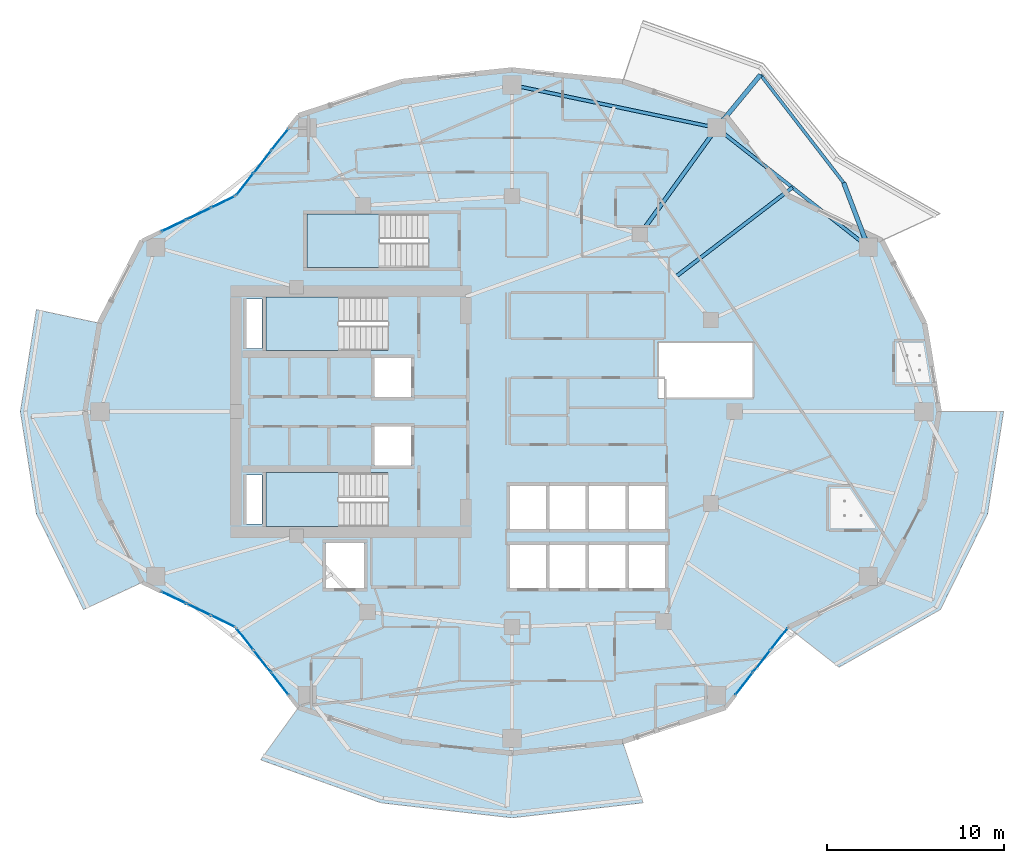
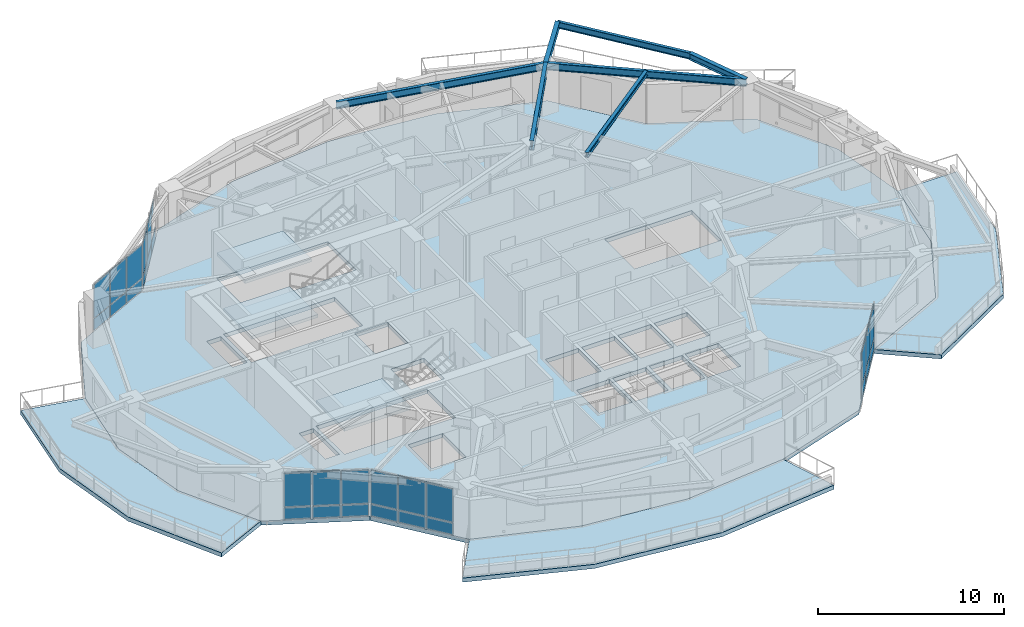
# One storey, part 6 of 18: 34 plates, 7 beams, 7 slabs, 8 elements without a shape of their own.
"""IFC4 building model written with IfcOpenShell, lengths in metres."""

from ifc_helpers import new_model, si_unit, direction, frame, origin, origin_2d, place, context, subcontext, project, spatial, polyline, rectangle, i_section, outline, extrude, material, layer, layer_set, material_profile, profile_set, type_object, element, aggregate, save


model = new_model("IFC4")

# Units and contexts
model_context = context("Model", 3, precision=1e-05, world=origin(), true_north=direction((0.0, 1.0)))
body_context = subcontext(model_context, "Body", "Model", "MODEL_VIEW")
ifc_project = project(units=[si_unit("LENGTHUNIT", "METRE"), si_unit("AREAUNIT", "SQUARE_METRE"), si_unit("VOLUMEUNIT", "CUBIC_METRE"), si_unit("PLANEANGLEUNIT", "RADIAN"), si_unit("MASSUNIT", "GRAM", prefix="KILO")], contexts=[model_context])

# Site, building, storey
site_placement = place(None, origin())
site = spatial("IfcSite", under=ifc_project, at=site_placement, CompositionType="ELEMENT")
building_placement = place(site_placement, origin())
building = spatial("IfcBuilding", under=site, at=building_placement, Name="Kolvaren Gate Tower and Convention Centre", CompositionType="ELEMENT")
storey_placement = place(building_placement, frame((0.0, 0.0, 108.699951171875)))
storey = spatial("IfcBuildingStorey", under=building, at=storey_placement, Name="L26", CompositionType="ELEMENT", Elevation=108.699951171875)

# Beams
ifc_material_1 = material(Name="Structural steel ASTM A992 Grade 345 MPa", Category="steel")
ifc_material_profile_1 = material_profile(ifc_material_1, i_section(OverallWidth=0.260009765625, OverallDepth=0.419921875, WebThickness=0.013427734375, FlangeThickness=0.0224609375, at=origin_2d()), Name="W410X132")
ifc_profile_set_1 = profile_set([ifc_material_profile_1], Name="Structural steel ASTM A992 Grade 345 MPa")
beam_type_1 = type_object("IfcBeamType", Name="STR-BM-W410X132", PredefinedType="BEAM", material=ifc_profile_set_1)
for number, where, z_axis, x_axis, name in (
    (1, (50.30029296875, 36.318603515625, 2.920654296875), (-0.356078629863, 0.934455996479, 0.0), (-0.934455996479, -0.356078629863, 0.0), "Tower L27 Planted Balcony Outrigger Cantilever BC-1A"),
    (2, (41.721435546875, 43.068359375, 2.920654296875), (0.635777466799, 0.771872407014, 0.0), (-0.771872407014, 0.635777466799, 0.0), "Tower L27 Planted Balcony Outrigger Cantilever BC-1B"),
):
    element("IfcBeam", number, at=place(storey_placement, frame(where, z_axis=z_axis, x_axis=x_axis)), inside=storey, type_object=beam_type_1, Name=name, PredefinedType="BEAM", context=body_context, shape_type="SweptSolid", body=[
        extrude(i_section(OverallWidth=0.260009765625, OverallDepth=0.419921875, WebThickness=0.013427734375, FlangeThickness=0.0224609375, at=origin_2d()), origin(), (0.0, 0.0, 1.0), 3.89990234375),
    ])
ifc_material_profile_2 = material_profile(ifc_material_1, i_section(OverallWidth=0.22998046875, OverallDepth=0.616943359375, WebThickness=0.01318359375, FlangeThickness=0.022216796875, at=origin_2d()), Name="W610X140")
ifc_profile_set_2 = profile_set([ifc_material_profile_2], Name="Structural steel ASTM A992 Grade 345 MPa")
beam_type_2 = type_object("IfcBeamType", Name="STR-BM-W610X140", PredefinedType="BEAM", material=ifc_profile_set_2)
beam_1_placement = place(storey_placement, frame((37.381591796875, 37.054931640625, 2.821533203125), z_axis=(0.585208050015, 0.810883184064, 0.0), x_axis=(-0.810883184064, 0.585208050015, 0.0)))
element("IfcBeam", 3, at=beam_1_placement, inside=storey, type_object=beam_type_2, Name="Tower L26 Radial Floor Girder RB-03", PredefinedType="BEAM", context=body_context, shape_type="SweptSolid", body=[
    extrude(i_section(OverallWidth=0.22998046875, OverallDepth=0.616943359375, WebThickness=0.01318359375, FlangeThickness=0.022216796875, at=origin_2d()), origin(), (0.0, 0.0, 1.0), 7.416015625),
])
ifc_material_profile_3 = material_profile(ifc_material_1, i_section(OverallWidth=0.205078125, OverallDepth=0.31005859375, WebThickness=0.009521484375, FlangeThickness=0.016357421875, at=origin_2d()), Name="W310X74")
ifc_profile_set_3 = profile_set([ifc_material_profile_3], Name="Structural steel ASTM A992 Grade 345 MPa")
beam_type_3 = type_object("IfcBeamType", Name="STR-JS-W310X74", PredefinedType="JOIST", material=ifc_profile_set_3)
beam_2_placement = place(storey_placement, frame((39.3818359375, 34.627197265625, 2.97509765625), z_axis=(0.79454218325, 0.607208958297, 0.0), x_axis=(-0.607208958297, 0.79454218325, 0.0)))
element("IfcBeam", 4, at=beam_2_placement, inside=storey, type_object=beam_type_3, Name="Tower L26 Secondary Composite Floor Joist J-02.1", PredefinedType="JOIST", context=body_context, shape_type="SweptSolid", body=[
    extrude(i_section(OverallWidth=0.205078125, OverallDepth=0.31005859375, WebThickness=0.009521484375, FlangeThickness=0.016357421875, at=origin_2d()), origin(), (0.0, 0.0, 1.0), 8.34326171875),
])
ifc_material_profile_4 = material_profile(ifc_material_1, i_section(OverallWidth=0.180908203125, OverallDepth=0.4169921875, WebThickness=0.010986328125, FlangeThickness=0.018310546875, at=origin_2d()), Name="W410X85")
ifc_profile_set_4 = profile_set([ifc_material_profile_4], Name="Structural steel ASTM A992 Grade 345 MPa")
beam_type_4 = type_object("IfcBeamType", Name="STR-SP-W410X85", PredefinedType="SPANDREL", material=ifc_profile_set_4)
beam_3_placement = place(storey_placement, frame((48.91162109375, 39.962890625, 2.922119140625), z_axis=(-0.610222644788, 0.792229969004, 0.0), x_axis=(-0.792229969004, -0.610222644788, 0.0)))
element("IfcBeam", 5, at=beam_3_placement, inside=storey, type_object=beam_type_4, Name="Tower L27 Planted Balcony Header Tie Beam BT-1", PredefinedType="SPANDREL", context=body_context, shape_type="SweptSolid", body=[
    extrude(i_section(OverallWidth=0.180908203125, OverallDepth=0.4169921875, WebThickness=0.010986328125, FlangeThickness=0.018310546875, at=origin_2d()), origin(), (0.0, 0.0, 1.0), 7.7197265625),
])
ifc_material_profile_5 = material_profile(ifc_material_1, i_section(OverallWidth=0.194091796875, OverallDepth=0.468994140625, WebThickness=0.0126953125, FlangeThickness=0.0205078125, at=origin_2d()), Name="W460X106")
ifc_profile_set_5 = profile_set([ifc_material_profile_5], Name="Structural steel ASTM A992 Grade 345 MPa")
beam_type_5 = type_object("IfcBeamType", Name="STR-SP-W460X106", PredefinedType="SPANDREL", material=ifc_profile_set_5)
beam_4_placement = place(storey_placement, frame((50.30029296875, 36.318603515625, 2.8955078125), z_axis=(-0.785907610354, 0.618343939881, 0.0), x_axis=(-0.618343939881, -0.785907610354, 0.0)))
element("IfcBeam", 6, at=beam_4_placement, inside=storey, type_object=beam_type_5, Name="Tower L26 Perimeter Spandrel Beam SP-02", PredefinedType="SPANDREL", context=body_context, shape_type="SweptSolid", body=[
    extrude(i_section(OverallWidth=0.194091796875, OverallDepth=0.468994140625, WebThickness=0.0126953125, FlangeThickness=0.0205078125, at=origin_2d()), origin(), (0.0, 0.0, 1.0), 10.915771484375),
])
beam_5_placement = place(storey_placement, frame((41.721435546875, 43.068359375, 2.8955078125), z_axis=(-0.978714746947, 0.205225349578, 0.0), x_axis=(-0.205225349578, -0.978714746947, 0.0)))
element("IfcBeam", 7, at=beam_5_placement, inside=storey, type_object=beam_type_5, Name="Tower L26 Perimeter Spandrel Beam SP-03", PredefinedType="SPANDREL", context=body_context, shape_type="SweptSolid", body=[
    extrude(i_section(OverallWidth=0.194091796875, OverallDepth=0.468994140625, WebThickness=0.0126953125, FlangeThickness=0.0205078125, at=origin_2d()), origin(), (0.0, 0.0, 1.0), 11.8486328125),
])

# Plates
ifc_material_2 = material(Name="Perforated Anodized Bronze Aluminium Sheet 6 mm", Category="aluminium")
ifc_layer_1 = layer(ifc_material_2, 0.011962890625)
ifc_layer_set_1 = layer_set([ifc_layer_1], Name="Perforated Anodized Bronze Aluminium Sheet 6 mm")
plate_type_1 = type_object("IfcPlateType", Name="ARCH-PL-SCREEN-PERF", PredefinedType="SHEET", material=ifc_layer_set_1)
for number, where, z_axis, x_axis, name in (
    (8, (16.25634765625, 41.490234375, 2.2900390625), (0.0, 0.0, 1.0), (0.616435493395, 0.787405411769, 0.0), "Tower L26 Perforated Bronze Solar Screen SS-08"),
    (9, (11.82958984375, 37.948974609375, 2.2900390625), (0.0, 0.0, 1.0), (0.901362925045, 0.433064518696, 0.0), "Tower L26 Perforated Bronze Solar Screen SS-09"),
    (10, (11.82958984375, 16.051025390625, 2.2900390625), (0.0, 0.0, 1.0), (0.901362925045, -0.433064518696, 0.0), "Tower L26 Perforated Bronze Solar Screen SS-14"),
    (11, (16.256103515625, 12.509765625, 2.2900390625), (0.0, 0.0, 1.0), (0.616424499081, -0.787414018756, 0.0), "Tower L26 Perforated Bronze Solar Screen SS-15"),
    (12, (43.993896484375, 12.509765625, 2.2900390625), (0.0, 0.0, 1.0), (0.616424499081, 0.787414018756, 0.0), "Tower L26 Perforated Bronze Solar Screen SS-20"),
):
    element("IfcPlate", number, at=place(storey_placement, frame(where, z_axis=z_axis, x_axis=x_axis)), inside=storey, type_object=plate_type_1, Name=name, PredefinedType="SHEET", context=body_context, shape_type="SweptSolid", body=[
        extrude(rectangle(XDim=2.60009765625, YDim=0.011962890625, at=origin_2d()), origin(), (0.0, 0.0, 1.0), 0.840087890625),
    ])

# Curtain wall, plates
ifc_material_3 = material(Name="Anodized Architectural Aluminium Alloy 6063-T6", Category="aluminium")
ifc_layer_2 = layer(ifc_material_3, 0.159912109375)
ifc_layer_set_2 = layer_set([ifc_layer_2], Name="Anodized Architectural Aluminium Alloy 6063-T6")
curtain_wall_type = type_object("IfcCurtainWallType", Name="CW-HTL-UNIT", PredefinedType="NOTDEFINED", material=ifc_layer_set_2)
curtain_wall_1_placement = place(storey_placement, origin())
curtain_wall_1 = element("IfcCurtainWall", 13, at=curtain_wall_1_placement, inside=storey, type_object=curtain_wall_type, Name="Tower L26 Unitised Curtain Wall CW-HTL-UNIT Bay 08", PredefinedType="NOTDEFINED")
ifc_material_4 = material(Name="Low-E Triple Insulated Glazing Unit 44 mm", Category="glass")
ifc_layer_3 = layer(ifc_material_4, 0.0439453125)
ifc_layer_set_3 = layer_set([ifc_layer_3], Name="Low-E Triple Insulated Glazing Unit 44 mm")
plate_type_2 = type_object("IfcPlateType", Name="CW-PL-IGU-44", PredefinedType="CURTAIN_PANEL", material=ifc_layer_set_3)
plate_1_placement = place(storey_placement, frame((14.992919921875, 39.876708984375, 0.882568359375), z_axis=(0.0, 0.0, 1.0), x_axis=(0.616441330983, 0.787400841666, 0.0)))
plate_1 = element("IfcPlate", 14, at=plate_1_placement, type_object=plate_type_2, Name="CW-03 panel 1.2", PredefinedType="CURTAIN_PANEL", context=body_context, shape_type="SweptSolid", body=[
    extrude(rectangle(XDim=1.5302734375, YDim=0.0439453125, at=origin_2d()), origin(), (0.0, 0.0, 1.0), 2.1826171875),
])
plate_2_placement = place(storey_placement, frame((15.986328125, 41.1455078125, 0.882568359375), z_axis=(0.0, 0.0, 1.0), x_axis=(0.616441330983, 0.787400841666, 0.0)))
plate_2 = element("IfcPlate", 15, at=plate_2_placement, type_object=plate_type_2, Name="CW-03 panel 2.2", PredefinedType="CURTAIN_PANEL", context=body_context, shape_type="SweptSolid", body=[
    extrude(rectangle(XDim=1.562744140625, YDim=0.0439453125, at=origin_2d()), origin(), (0.0, 0.0, 1.0), 2.1826171875),
])

curtain_wall_2_placement = place(storey_placement, origin())
curtain_wall_2 = element("IfcCurtainWall", 16, at=curtain_wall_2_placement, inside=storey, type_object=curtain_wall_type, Name="Tower L26 Unitised Curtain Wall CW-HTL-UNIT Bay 09", PredefinedType="NOTDEFINED")
plate_3_placement = place(storey_placement, frame((10.963623046875, 37.532958984375, 0.882568359375), z_axis=(0.0, 0.0, 1.0), x_axis=(0.901359070966, 0.43307254033, 0.0)))
plate_3 = element("IfcPlate", 17, at=plate_3_placement, type_object=plate_type_2, Name="CW-03 panel 1.2", PredefinedType="CURTAIN_PANEL", context=body_context, shape_type="SweptSolid", body=[
    extrude(rectangle(XDim=1.469970703125, YDim=0.0439453125, at=origin_2d()), origin(), (0.0, 0.0, 1.0), 2.1826171875),
])
plate_4_placement = place(storey_placement, frame((12.36181640625, 38.20458984375, 0.882568359375), z_axis=(0.0, 0.0, 1.0), x_axis=(0.901359070966, 0.43307254033, 0.0)))
plate_4 = element("IfcPlate", 18, at=plate_4_placement, type_object=plate_type_2, Name="CW-03 panel 2.2", PredefinedType="CURTAIN_PANEL", context=body_context, shape_type="SweptSolid", body=[
    extrude(rectangle(XDim=1.50244140625, YDim=0.0439453125, at=origin_2d()), origin(), (0.0, 0.0, 1.0), 2.1826171875),
])
plate_5_placement = place(storey_placement, frame((13.76025390625, 38.87646484375, 0.882568359375), z_axis=(0.0, 0.0, 1.0), x_axis=(0.901359070966, 0.43307254033, 0.0)))
plate_5 = element("IfcPlate", 19, at=plate_5_placement, type_object=plate_type_2, Name="CW-03 panel 3.2", PredefinedType="CURTAIN_PANEL", context=body_context, shape_type="SweptSolid", body=[
    extrude(rectangle(XDim=1.469970703125, YDim=0.0439453125, at=origin_2d()), origin(), (0.0, 0.0, 1.0), 2.1826171875),
])

curtain_wall_3_placement = place(storey_placement, origin())
curtain_wall_3 = element("IfcCurtainWall", 20, at=curtain_wall_3_placement, inside=storey, type_object=curtain_wall_type, Name="Tower L26 Unitised Curtain Wall CW-HTL-UNIT Bay 14", PredefinedType="NOTDEFINED")
plate_6_placement = place(storey_placement, frame((10.963623046875, 16.467041015625, 0.882568359375), z_axis=(0.0, 0.0, 1.0), x_axis=(0.901359070966, -0.43307254033, 0.0)))
plate_6 = element("IfcPlate", 21, at=plate_6_placement, type_object=plate_type_2, Name="CW-03 panel 1.2", PredefinedType="CURTAIN_PANEL", context=body_context, shape_type="SweptSolid", body=[
    extrude(rectangle(XDim=1.469970703125, YDim=0.0439453125, at=origin_2d()), origin(), (0.0, 0.0, 1.0), 2.1826171875),
])
plate_7_placement = place(storey_placement, frame((12.36181640625, 15.79541015625, 0.882568359375), z_axis=(0.0, 0.0, 1.0), x_axis=(0.901359070966, -0.43307254033, 0.0)))
plate_7 = element("IfcPlate", 22, at=plate_7_placement, type_object=plate_type_2, Name="CW-03 panel 2.2", PredefinedType="CURTAIN_PANEL", context=body_context, shape_type="SweptSolid", body=[
    extrude(rectangle(XDim=1.50244140625, YDim=0.0439453125, at=origin_2d()), origin(), (0.0, 0.0, 1.0), 2.1826171875),
])
plate_8_placement = place(storey_placement, frame((13.76025390625, 15.12353515625, 0.882568359375), z_axis=(0.0, 0.0, 1.0), x_axis=(0.901359070966, -0.43307254033, 0.0)))
plate_8 = element("IfcPlate", 23, at=plate_8_placement, type_object=plate_type_2, Name="CW-03 panel 3.2", PredefinedType="CURTAIN_PANEL", context=body_context, shape_type="SweptSolid", body=[
    extrude(rectangle(XDim=1.469970703125, YDim=0.0439453125, at=origin_2d()), origin(), (0.0, 0.0, 1.0), 2.1826171875),
])

curtain_wall_4_placement = place(storey_placement, origin())
curtain_wall_4 = element("IfcCurtainWall", 24, at=curtain_wall_4_placement, inside=storey, type_object=curtain_wall_type, Name="Tower L26 Unitised Curtain Wall CW-HTL-UNIT Bay 15", PredefinedType="NOTDEFINED")
plate_9_placement = place(storey_placement, frame((14.992919921875, 14.123291015625, 0.882568359375), z_axis=(0.0, 0.0, 1.0), x_axis=(0.616428633699, -0.787410781966, 0.0)))
plate_9 = element("IfcPlate", 25, at=plate_9_placement, type_object=plate_type_2, Name="CW-03 panel 1.2", PredefinedType="CURTAIN_PANEL", context=body_context, shape_type="SweptSolid", body=[
    extrude(rectangle(XDim=1.5302734375, YDim=0.0439453125, at=origin_2d()), origin(), (0.0, 0.0, 1.0), 2.1826171875),
])
plate_10_placement = place(storey_placement, frame((15.986328125, 12.8544921875, 0.882568359375), z_axis=(0.0, 0.0, 1.0), x_axis=(0.616428633699, -0.787410781966, 0.0)))
plate_10 = element("IfcPlate", 26, at=plate_10_placement, type_object=plate_type_2, Name="CW-03 panel 2.2", PredefinedType="CURTAIN_PANEL", context=body_context, shape_type="SweptSolid", body=[
    extrude(rectangle(XDim=1.562744140625, YDim=0.0439453125, at=origin_2d()), origin(), (0.0, 0.0, 1.0), 2.1826171875),
])
plate_11_placement = place(storey_placement, frame((16.979736328125, 11.585693359375, 0.882568359375), z_axis=(0.0, 0.0, 1.0), x_axis=(0.616428633699, -0.787410781966, 0.0)))
plate_11 = element("IfcPlate", 27, at=plate_11_placement, type_object=plate_type_2, Name="CW-03 panel 3.2", PredefinedType="CURTAIN_PANEL", context=body_context, shape_type="SweptSolid", body=[
    extrude(rectangle(XDim=1.5302734375, YDim=0.0439453125, at=origin_2d()), origin(), (0.0, 0.0, 1.0), 2.1826171875),
])

curtain_wall_5_placement = place(storey_placement, origin())
curtain_wall_5 = element("IfcCurtainWall", 28, at=curtain_wall_5_placement, inside=storey, type_object=curtain_wall_type, Name="Tower L26 Unitised Curtain Wall CW-HTL-UNIT Bay 20", PredefinedType="NOTDEFINED")
plate_12_placement = place(storey_placement, frame((43.2705078125, 11.585693359375, 0.882568359375), z_axis=(0.0, 0.0, 1.0), x_axis=(0.616425876414, 0.787412940513, 0.0)))
plate_12 = element("IfcPlate", 29, at=plate_12_placement, type_object=plate_type_2, Name="CW-03 panel 1.2", PredefinedType="CURTAIN_PANEL", context=body_context, shape_type="SweptSolid", body=[
    extrude(rectangle(XDim=1.530029296875, YDim=0.0439453125, at=origin_2d()), origin(), (0.0, 0.0, 1.0), 2.1826171875),
])
plate_13_placement = place(storey_placement, frame((44.263671875, 12.8544921875, 0.882568359375), z_axis=(0.0, 0.0, 1.0), x_axis=(0.616425876414, 0.787412940513, 0.0)))
plate_13 = element("IfcPlate", 30, at=plate_13_placement, type_object=plate_type_2, Name="CW-03 panel 2.2", PredefinedType="CURTAIN_PANEL", context=body_context, shape_type="SweptSolid", body=[
    extrude(rectangle(XDim=1.5625, YDim=0.0439453125, at=origin_2d()), origin(), (0.0, 0.0, 1.0), 2.1826171875),
])
plate_14_placement = place(storey_placement, frame((45.257080078125, 14.123291015625, 0.882568359375), z_axis=(0.0, 0.0, 1.0), x_axis=(0.616425876414, 0.787412940513, 0.0)))
plate_14 = element("IfcPlate", 31, at=plate_14_placement, type_object=plate_type_2, Name="CW-03 panel 3.2", PredefinedType="CURTAIN_PANEL", context=body_context, shape_type="SweptSolid", body=[
    extrude(rectangle(XDim=1.530029296875, YDim=0.0439453125, at=origin_2d()), origin(), (0.0, 0.0, 1.0), 2.1826171875),
])

# Plate
ifc_material_5 = material(Name="Solar-Control Laminated Curtain Glazing 36 mm", Category="glass")
ifc_layer_4 = layer(ifc_material_5, 0.035888671875)
ifc_layer_set_4 = layer_set([ifc_layer_4], Name="Solar-Control Laminated Curtain Glazing 36 mm")
plate_type_3 = type_object("IfcPlateType", Name="CW-PL-SPAN-36", PredefinedType="CURTAIN_PANEL", material=ifc_layer_set_4)
plate_15_placement = place(storey_placement, frame((14.992919921875, 39.876708984375, 0.065185546875), z_axis=(0.0, 0.0, 1.0), x_axis=(0.616441330983, 0.787400841666, 0.0)))
plate_15 = element("IfcPlate", 32, at=plate_15_placement, type_object=plate_type_3, Name="CW-03 panel 1.1", PredefinedType="CURTAIN_PANEL", context=body_context, shape_type="SweptSolid", body=[
    extrude(rectangle(XDim=1.5302734375, YDim=0.035888671875, at=origin_2d()), origin(), (0.0, 0.0, 1.0), 0.75244140625),
])

plate_16_placement = place(storey_placement, frame((15.986328125, 41.1455078125, 0.065185546875), z_axis=(0.0, 0.0, 1.0), x_axis=(0.616441330983, 0.787400841666, 0.0)))
plate_16 = element("IfcPlate", 33, at=plate_16_placement, type_object=plate_type_3, Name="CW-03 panel 2.1", PredefinedType="CURTAIN_PANEL", context=body_context, shape_type="SweptSolid", body=[
    extrude(rectangle(XDim=1.562744140625, YDim=0.035888671875, at=origin_2d()), origin(), (0.0, 0.0, 1.0), 0.75244140625),
])

plate_17_placement = place(storey_placement, frame((16.979736328125, 42.414306640625, 0.065185546875), z_axis=(0.0, 0.0, 1.0), x_axis=(0.616441330983, 0.787400841666, 0.0)))
plate_17 = element("IfcPlate", 34, at=plate_17_placement, type_object=plate_type_3, Name="CW-03 panel 3.1", PredefinedType="CURTAIN_PANEL", context=body_context, shape_type="SweptSolid", body=[
    extrude(rectangle(XDim=1.5302734375, YDim=0.035888671875, at=origin_2d()), origin(), (0.0, 0.0, 1.0), 0.75244140625),
])

aggregate(curtain_wall_1, [plate_15, plate_1, plate_16, plate_2, plate_17])

plate_18_placement = place(storey_placement, frame((10.963623046875, 37.532958984375, 0.065185546875), z_axis=(0.0, 0.0, 1.0), x_axis=(0.901359070966, 0.43307254033, 0.0)))
plate_18 = element("IfcPlate", 35, at=plate_18_placement, type_object=plate_type_3, Name="CW-03 panel 1.1", PredefinedType="CURTAIN_PANEL", context=body_context, shape_type="SweptSolid", body=[
    extrude(rectangle(XDim=1.469970703125, YDim=0.035888671875, at=origin_2d()), origin(), (0.0, 0.0, 1.0), 0.75244140625),
])

plate_19_placement = place(storey_placement, frame((12.36181640625, 38.20458984375, 0.065185546875), z_axis=(0.0, 0.0, 1.0), x_axis=(0.901359070966, 0.43307254033, 0.0)))
plate_19 = element("IfcPlate", 36, at=plate_19_placement, type_object=plate_type_3, Name="CW-03 panel 2.1", PredefinedType="CURTAIN_PANEL", context=body_context, shape_type="SweptSolid", body=[
    extrude(rectangle(XDim=1.50244140625, YDim=0.035888671875, at=origin_2d()), origin(), (0.0, 0.0, 1.0), 0.75244140625),
])

plate_20_placement = place(storey_placement, frame((13.76025390625, 38.87646484375, 0.065185546875), z_axis=(0.0, 0.0, 1.0), x_axis=(0.901359070966, 0.43307254033, 0.0)))
plate_20 = element("IfcPlate", 37, at=plate_20_placement, type_object=plate_type_3, Name="CW-03 panel 3.1", PredefinedType="CURTAIN_PANEL", context=body_context, shape_type="SweptSolid", body=[
    extrude(rectangle(XDim=1.469970703125, YDim=0.035888671875, at=origin_2d()), origin(), (0.0, 0.0, 1.0), 0.75244140625),
])

aggregate(curtain_wall_2, [plate_18, plate_3, plate_19, plate_4, plate_20, plate_5])

plate_21_placement = place(storey_placement, frame((10.963623046875, 16.467041015625, 0.065185546875), z_axis=(0.0, 0.0, 1.0), x_axis=(0.901359070966, -0.43307254033, 0.0)))
plate_21 = element("IfcPlate", 38, at=plate_21_placement, type_object=plate_type_3, Name="CW-03 panel 1.1", PredefinedType="CURTAIN_PANEL", context=body_context, shape_type="SweptSolid", body=[
    extrude(rectangle(XDim=1.469970703125, YDim=0.035888671875, at=origin_2d()), origin(), (0.0, 0.0, 1.0), 0.75244140625),
])

plate_22_placement = place(storey_placement, frame((12.36181640625, 15.79541015625, 0.065185546875), z_axis=(0.0, 0.0, 1.0), x_axis=(0.901359070966, -0.43307254033, 0.0)))
plate_22 = element("IfcPlate", 39, at=plate_22_placement, type_object=plate_type_3, Name="CW-03 panel 2.1", PredefinedType="CURTAIN_PANEL", context=body_context, shape_type="SweptSolid", body=[
    extrude(rectangle(XDim=1.50244140625, YDim=0.035888671875, at=origin_2d()), origin(), (0.0, 0.0, 1.0), 0.75244140625),
])

plate_23_placement = place(storey_placement, frame((13.76025390625, 15.12353515625, 0.065185546875), z_axis=(0.0, 0.0, 1.0), x_axis=(0.901359070966, -0.43307254033, 0.0)))
plate_23 = element("IfcPlate", 40, at=plate_23_placement, type_object=plate_type_3, Name="CW-03 panel 3.1", PredefinedType="CURTAIN_PANEL", context=body_context, shape_type="SweptSolid", body=[
    extrude(rectangle(XDim=1.469970703125, YDim=0.035888671875, at=origin_2d()), origin(), (0.0, 0.0, 1.0), 0.75244140625),
])

aggregate(curtain_wall_3, [plate_21, plate_6, plate_22, plate_7, plate_23, plate_8])

plate_24_placement = place(storey_placement, frame((14.992919921875, 14.123291015625, 0.065185546875), z_axis=(0.0, 0.0, 1.0), x_axis=(0.616428633699, -0.787410781966, 0.0)))
plate_24 = element("IfcPlate", 41, at=plate_24_placement, type_object=plate_type_3, Name="CW-03 panel 1.1", PredefinedType="CURTAIN_PANEL", context=body_context, shape_type="SweptSolid", body=[
    extrude(rectangle(XDim=1.5302734375, YDim=0.035888671875, at=origin_2d()), origin(), (0.0, 0.0, 1.0), 0.75244140625),
])

plate_25_placement = place(storey_placement, frame((15.986328125, 12.8544921875, 0.065185546875), z_axis=(0.0, 0.0, 1.0), x_axis=(0.616428633699, -0.787410781966, 0.0)))
plate_25 = element("IfcPlate", 42, at=plate_25_placement, type_object=plate_type_3, Name="CW-03 panel 2.1", PredefinedType="CURTAIN_PANEL", context=body_context, shape_type="SweptSolid", body=[
    extrude(rectangle(XDim=1.562744140625, YDim=0.035888671875, at=origin_2d()), origin(), (0.0, 0.0, 1.0), 0.75244140625),
])

plate_26_placement = place(storey_placement, frame((16.979736328125, 11.585693359375, 0.065185546875), z_axis=(0.0, 0.0, 1.0), x_axis=(0.616428633699, -0.787410781966, 0.0)))
plate_26 = element("IfcPlate", 43, at=plate_26_placement, type_object=plate_type_3, Name="CW-03 panel 3.1", PredefinedType="CURTAIN_PANEL", context=body_context, shape_type="SweptSolid", body=[
    extrude(rectangle(XDim=1.5302734375, YDim=0.035888671875, at=origin_2d()), origin(), (0.0, 0.0, 1.0), 0.75244140625),
])

aggregate(curtain_wall_4, [plate_24, plate_9, plate_25, plate_10, plate_26, plate_11])

plate_27_placement = place(storey_placement, frame((43.2705078125, 11.585693359375, 0.065185546875), z_axis=(0.0, 0.0, 1.0), x_axis=(0.616425876414, 0.787412940513, 0.0)))
plate_27 = element("IfcPlate", 44, at=plate_27_placement, type_object=plate_type_3, Name="CW-03 panel 1.1", PredefinedType="CURTAIN_PANEL", context=body_context, shape_type="SweptSolid", body=[
    extrude(rectangle(XDim=1.530029296875, YDim=0.035888671875, at=origin_2d()), origin(), (0.0, 0.0, 1.0), 0.75244140625),
])

plate_28_placement = place(storey_placement, frame((44.263671875, 12.8544921875, 0.065185546875), z_axis=(0.0, 0.0, 1.0), x_axis=(0.616425876414, 0.787412940513, 0.0)))
plate_28 = element("IfcPlate", 45, at=plate_28_placement, type_object=plate_type_3, Name="CW-03 panel 2.1", PredefinedType="CURTAIN_PANEL", context=body_context, shape_type="SweptSolid", body=[
    extrude(rectangle(XDim=1.5625, YDim=0.035888671875, at=origin_2d()), origin(), (0.0, 0.0, 1.0), 0.75244140625),
])

plate_29_placement = place(storey_placement, frame((45.257080078125, 14.123291015625, 0.065185546875), z_axis=(0.0, 0.0, 1.0), x_axis=(0.616425876414, 0.787412940513, 0.0)))
plate_29 = element("IfcPlate", 46, at=plate_29_placement, type_object=plate_type_3, Name="CW-03 panel 3.1", PredefinedType="CURTAIN_PANEL", context=body_context, shape_type="SweptSolid", body=[
    extrude(rectangle(XDim=1.530029296875, YDim=0.035888671875, at=origin_2d()), origin(), (0.0, 0.0, 1.0), 0.75244140625),
])

aggregate(curtain_wall_5, [plate_27, plate_12, plate_28, plate_13, plate_29, plate_14])

# Slabs
ifc_material_6 = material(Name="Concrete C50/60", Category="concrete")
ifc_layer_5 = layer(ifc_material_6, 0.27001953125)
ifc_layer_set_5 = layer_set([ifc_layer_5], Name="Concrete C50/60")
slab_type_1 = type_object("IfcSlabType", Name="STR-SL-BALC-270", PredefinedType="FLOOR", material=ifc_layer_set_5)
slab_1_placement = place(storey_placement, frame((0.0, 0.0, -0.27001953125)))
element("IfcSlab", 47, at=slab_1_placement, inside=storey, type_object=slab_type_1, Name="Tower L26 Planted Balcony Terrace Slab 2 (West)", PredefinedType="FLOOR", context=body_context, shape_type="SweptSolid", body=[
    extrude(outline(polyline([(6.76171875, 32.008056640625), (5.9375, 27.0), (6.76171875, 21.991943359375), (9.177978515625, 17.324951171875), (5.855224609375, 15.790283203125), (3.18310546875, 21.224853515625), (2.277587890625, 27.0), (3.18310546875, 32.775146484375), (6.76171875, 32.008056640625)])), origin(), (0.0, 0.0, 1.0), 0.27001953125),
])
slab_2_placement = place(storey_placement, frame((0.0, 0.0, -0.27001953125)))
element("IfcSlab", 48, at=slab_2_placement, inside=storey, type_object=slab_type_1, Name="Tower L26 Planted Balcony Terrace Slab 3 (South)", PredefinedType="FLOOR", context=body_context, shape_type="SweptSolid", body=[
    extrude(outline(polyline([(18.03125, 10.242431640625), (23.86474609375, 8.309326171875), (30.125, 7.64990234375), (36.38525390625, 8.309326171875), (37.547607421875, 4.8388671875), (30.125, 3.989990234375), (22.702392578125, 4.8388671875), (15.889404296875, 7.274658203125), (18.03125, 10.242431640625)])), origin(), (0.0, 0.0, 1.0), 0.27001953125),
])
slab_3_placement = place(storey_placement, frame((0.0, 0.0, -0.27001953125)))
element("IfcSlab", 49, at=slab_3_placement, inside=storey, type_object=slab_type_1, Name="Tower L26 Planted Balcony Terrace Slab 4 (East)", PredefinedType="FLOOR", context=body_context, shape_type="SweptSolid", body=[
    extrude(outline(polyline([(45.768798828125, 14.777099609375), (51.072021484375, 17.324951171875), (53.48828125, 21.991943359375), (54.3125, 27.0), (57.972412109375, 27.0), (57.06689453125, 21.224853515625), (54.394775390625, 15.790283203125), (48.652587890625, 12.523681640625), (45.768798828125, 14.777099609375)])), origin(), (0.0, 0.0, 1.0), 0.27001953125),
])
ifc_material_7 = material(Name="Concrete C40/50", Category="concrete")
ifc_layer_6 = layer(ifc_material_7, 0.27001953125)
ifc_layer_set_6 = layer_set([ifc_layer_6], Name="Concrete C40/50")
slab_type_2 = type_object("IfcSlabType", Name="STR-SL-FLR-270", PredefinedType="FLOOR", material=ifc_layer_set_6)
slab_4_placement = place(storey_placement, frame((0.0, 0.0, -0.27001953125)))
element("IfcSlab", 50, at=slab_4_placement, inside=storey, type_object=slab_type_2, Name="Tower L26 Structural Floor Slab", PredefinedType="FLOOR", context=body_context, shape_type="SweptSolid", body=[
    extrude(outline(polyline([(54.3125, 27.0), (53.48828125, 32.008056640625), (51.072021484375, 36.675048828125), (45.768798828125, 39.222900390625), (42.21875, 43.757568359375), (36.38525390625, 45.690673828125), (30.125, 46.35009765625), (23.86474609375, 45.690673828125), (18.03125, 43.757568359375), (14.481201171875, 39.222900390625), (9.177978515625, 36.675048828125), (6.76171875, 32.008056640625), (5.9375, 27.0), (6.76171875, 21.991943359375), (9.177978515625, 17.324951171875), (14.481201171875, 14.777099609375), (18.03125, 10.242431640625), (23.86474609375, 8.309326171875), (30.125, 7.64990234375), (36.38525390625, 8.309326171875), (42.21875, 10.242431640625), (45.768798828125, 14.777099609375), (51.072021484375, 17.324951171875), (53.48828125, 21.991943359375), (54.3125, 27.0)]), holes=[polyline([(38.39990234375, 30.949951171875), (43.800048828125, 30.949951171875), (43.800048828125, 27.75), (38.39990234375, 27.75), (38.39990234375, 30.949951171875)]), polyline([(36.75, 22.800048828125), (38.800048828125, 22.800048828125), (38.800048828125, 20.35009765625), (36.75, 20.35009765625), (36.75, 22.800048828125)]), polyline([(36.75, 17.0), (36.75, 19.449951171875), (38.800048828125, 19.449951171875), (38.800048828125, 17.0), (36.75, 17.0)]), polyline([(34.5, 20.35009765625), (34.5, 22.800048828125), (36.550048828125, 22.800048828125), (36.550048828125, 20.35009765625), (34.5, 20.35009765625)]), polyline([(34.5, 17.0), (34.5, 19.449951171875), (36.550048828125, 19.449951171875), (36.550048828125, 17.0), (34.5, 17.0)]), polyline([(32.25, 20.35009765625), (32.25, 22.800048828125), (34.300048828125, 22.800048828125), (34.300048828125, 20.35009765625), (32.25, 20.35009765625)]), polyline([(32.25, 17.0), (32.25, 19.449951171875), (34.300048828125, 19.449951171875), (34.300048828125, 17.0), (32.25, 17.0)]), polyline([(30.0, 17.0), (30.0, 19.449951171875), (32.050048828125, 19.449951171875), (32.050048828125, 17.0), (30.0, 17.0)]), polyline([(30.0, 20.35009765625), (30.0, 22.800048828125), (32.050048828125, 22.800048828125), (32.050048828125, 20.35009765625), (30.0, 20.35009765625)]), polyline([(25.39990234375, 38.199951171875), (25.39990234375, 35.159912109375), (18.5, 35.159912109375), (18.5, 38.199951171875), (25.39990234375, 38.199951171875)]), polyline([(22.35009765625, 27.840087890625), (22.35009765625, 30.0400390625), (24.39990234375, 30.0400390625), (24.39990234375, 27.840087890625), (22.35009765625, 27.840087890625)]), polyline([(22.35009765625, 23.9599609375), (22.35009765625, 26.159912109375), (24.39990234375, 26.159912109375), (24.39990234375, 23.9599609375), (22.35009765625, 23.9599609375)]), polyline([(23.10009765625, 33.5), (23.10009765625, 30.4599609375), (16.199951171875, 30.4599609375), (16.199951171875, 33.5), (23.10009765625, 33.5)]), polyline([(23.10009765625, 23.5400390625), (23.10009765625, 20.5), (16.199951171875, 20.5), (16.199951171875, 23.5400390625), (23.10009765625, 23.5400390625)]), polyline([(19.60009765625, 17.0), (19.60009765625, 19.550048828125), (21.75, 19.550048828125), (21.75, 17.0), (19.60009765625, 17.0)]), polyline([(15.080078125, 20.6298828125), (15.080078125, 23.419921875), (15.969970703125, 23.419921875), (15.969970703125, 20.6298828125), (15.080078125, 20.6298828125)]), polyline([(15.080078125, 30.580078125), (15.080078125, 33.3701171875), (15.969970703125, 33.3701171875), (15.969970703125, 30.580078125), (15.080078125, 30.580078125)])]), origin(), (0.0, 0.0, 1.0), 0.27001953125),
])

# Stair, slab
stair_type = type_object("IfcStairType", Name="STR-STAIR-CORE", PredefinedType="HALF_TURN_STAIR", material=ifc_material_6)
stair_1_placement = place(storey_placement, origin())
stair_1 = element("IfcStair", 51, at=stair_1_placement, inside=storey, type_object=stair_type, Name="L26 Tower North Exit Stair ST-T1", PredefinedType="HALF_TURN_STAIR")
ifc_layer_7 = layer(ifc_material_6, 0.199951171875)
ifc_layer_set_7 = layer_set([ifc_layer_7], Name="Concrete C50/60")
slab_type_3 = type_object("IfcSlabType", Name="STR-SL-LAND-200", PredefinedType="LANDING", material=ifc_layer_set_7)
slab_5_placement = place(storey_placement, frame((0.0, 0.0, 1.5)))
slab_5 = element("IfcSlab", 52, at=slab_5_placement, type_object=slab_type_3, Name="ST-T1 landing 1", PredefinedType="LANDING", context=body_context, shape_type="SweptSolid", body=[
    extrude(outline(polyline([(20.31005859375, 33.5), (16.199951171875, 33.5), (16.199951171875, 30.4599609375), (20.31005859375, 30.4599609375), (20.31005859375, 33.5)])), origin(), (0.0, 0.0, 1.0), 0.199951171875),
])
aggregate(stair_1, [slab_5])

stair_2_placement = place(storey_placement, origin())
stair_2 = element("IfcStair", 53, at=stair_2_placement, inside=storey, type_object=stair_type, Name="L26 Tower South Exit Stair ST-T2", PredefinedType="HALF_TURN_STAIR")
slab_6_placement = place(storey_placement, frame((0.0, 0.0, 1.5)))
slab_6 = element("IfcSlab", 54, at=slab_6_placement, type_object=slab_type_3, Name="ST-T2 landing 1", PredefinedType="LANDING", context=body_context, shape_type="SweptSolid", body=[
    extrude(outline(polyline([(20.31005859375, 23.5400390625), (16.199951171875, 23.5400390625), (16.199951171875, 20.5), (20.31005859375, 20.5), (20.31005859375, 23.5400390625)])), origin(), (0.0, 0.0, 1.0), 0.199951171875),
])
aggregate(stair_2, [slab_6])

stair_3_placement = place(storey_placement, origin())
stair_3 = element("IfcStair", 55, at=stair_3_placement, inside=storey, type_object=stair_type, Name="L26 Tower Mid-Zone Exit Stair ST-T3", PredefinedType="HALF_TURN_STAIR")
slab_7_placement = place(storey_placement, frame((0.0, 0.0, 1.5)))
slab_7 = element("IfcSlab", 56, at=slab_7_placement, type_object=slab_type_3, Name="ST-T3 landing 1", PredefinedType="LANDING", context=body_context, shape_type="SweptSolid", body=[
    extrude(outline(polyline([(22.610107421875, 38.199951171875), (18.5, 38.199951171875), (18.5, 35.159912109375), (22.610107421875, 35.159912109375), (22.610107421875, 38.199951171875)])), origin(), (0.0, 0.0, 1.0), 0.199951171875),
])
aggregate(stair_3, [slab_7])

save(model, "model.ifc")
